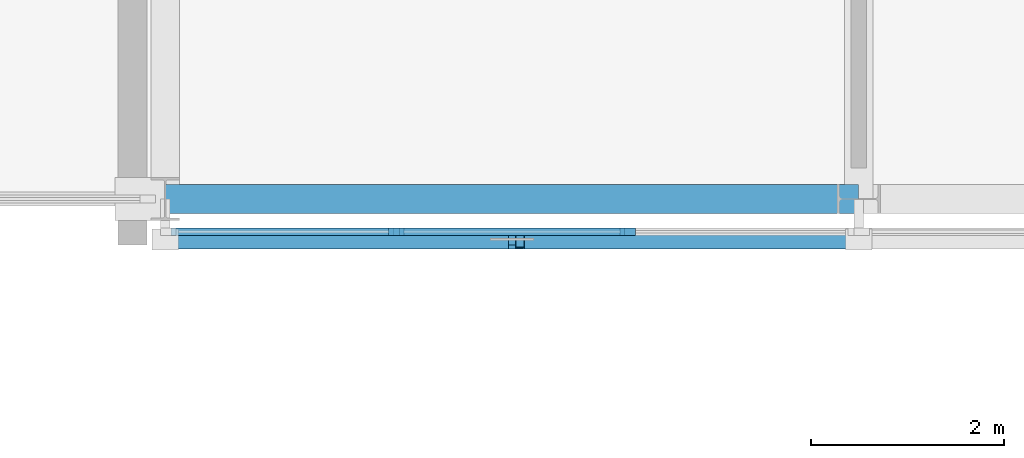
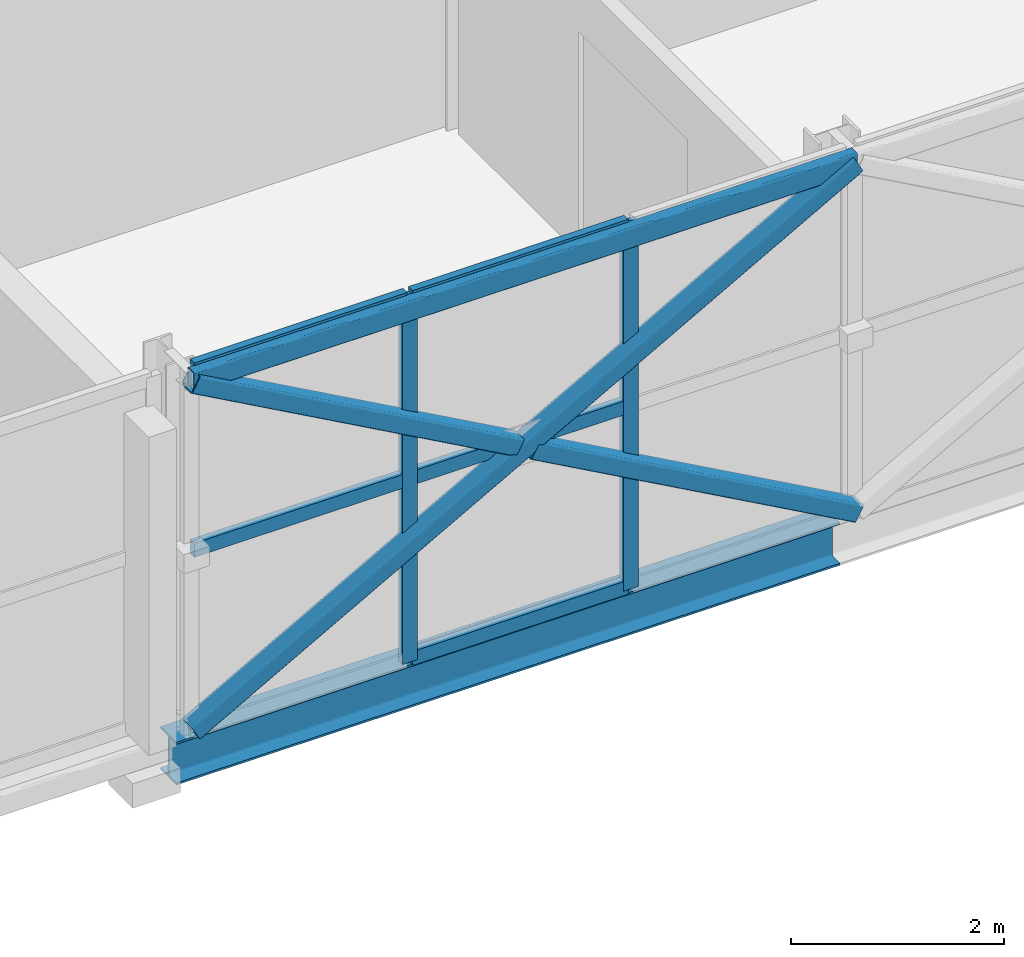
# One storey, part 53 of 146: 11 members, 1 beam, 1 element without a shape of its own.
"""IFC4 building model written with IfcOpenShell, lengths in metres."""

from ifc_helpers import new_model, si_unit, direction, frame, origin, origin_2d, place, context, subcontext, project, spatial, rectangle, hollow_rectangle, i_section, extrude, material, material_profile, profile_set, type_object, element, aggregate, save


model = new_model("IFC4")

# Units and contexts
model_context = context("Model", 3, precision=1e-05, world=origin(), true_north=direction((0.0, 1.0)))
body_context = subcontext(model_context, "Body", "Model", "MODEL_VIEW")
ifc_project = project(units=[si_unit("LENGTHUNIT", "METRE"), si_unit("AREAUNIT", "SQUARE_METRE"), si_unit("VOLUMEUNIT", "CUBIC_METRE"), si_unit("PLANEANGLEUNIT", "RADIAN"), si_unit("MASSUNIT", "GRAM", prefix="KILO")], contexts=[model_context])

# Site, building, storey
site_placement = place(None, origin())
site = spatial("IfcSite", under=ifc_project, at=site_placement, CompositionType="ELEMENT")
building_placement = place(site_placement, origin())
building = spatial("IfcBuilding", under=site, at=building_placement, Name="Zlatovets Crest Museum", CompositionType="ELEMENT")
storey_placement = place(building_placement, frame((0.0, 0.0, 4.5)))
storey = spatial("IfcBuildingStorey", under=building, at=storey_placement, Name="L01", CompositionType="ELEMENT", Elevation=4.5)

# Beam
ifc_material_1 = material(Name="Structural steel S355J2", Category="steel")
ifc_material_profile_1 = material_profile(ifc_material_1, i_section(OverallWidth=0.300048828125, OverallDepth=0.489990234375, WebThickness=0.011962890625, FlangeThickness=0.02294921875, FilletRadius=0.027099609375, at=origin_2d()), Name="HEA 500")
ifc_profile_set_1 = profile_set([ifc_material_profile_1], Name="Structural steel S355J2")
beam_type = type_object("IfcBeamType", Name="Beam_B-01", PredefinedType="BEAM", material=ifc_profile_set_1)
beam_placement = place(storey_placement, frame((57.60009765625, 86.39990234375, -0.465087890625), z_axis=(1.0, 0.0, 0.0), x_axis=(0.0, 1.0, 0.0)))
element("IfcBeam", 1, at=beam_placement, inside=storey, type_object=beam_type, Name="V1 L01 Primary Girder B-01", PredefinedType="BEAM", context=body_context, shape_type="SweptSolid", body=[
    extrude(i_section(OverallWidth=0.300048828125, OverallDepth=0.489990234375, WebThickness=0.011962890625, FlangeThickness=0.02294921875, FilletRadius=0.027099609375, at=origin_2d()), origin(), (0.0, 0.0, 1.0), 7.199951171875),
])

# Curtain wall, members
ifc_material_2 = material(Name="Bronze-anodised aluminium and low-E triple glass", Category="aluminium")
curtain_wall_type = type_object("IfcCurtainWallType", Name="CW_CW-V1-L01-M0", PredefinedType="NOTDEFINED", material=ifc_material_2)
curtain_wall_placement = place(storey_placement, origin())
curtain_wall = element("IfcCurtainWall", 2, at=curtain_wall_placement, inside=storey, type_object=curtain_wall_type, Name="V1 L01 Secession Foyer Clear Curtain Wall", PredefinedType="NOTDEFINED")
ifc_material_3 = material(Name="Bronze-anodised aluminium EN AW-6060", Category="aluminium")
ifc_material_profile_2 = material_profile(ifc_material_3, rectangle(XDim=0.080078125, YDim=0.159912109375, at=origin_2d()), Name="ALU 80x160")
ifc_profile_set_2 = profile_set([ifc_material_profile_2], Name="Bronze-anodised aluminium EN AW-6060")
member_type_1 = type_object("IfcMemberType", Name="CWMull_M1", PredefinedType="MULLION", material=ifc_profile_set_2)
member_1_placement = place(storey_placement, frame((60.0, 86.06005859375, 0.0), z_axis=(0.0, 0.0, 1.0), x_axis=(0.0, 1.0, 0.0)))
member_1 = element("IfcMember", 3, at=member_1_placement, type_object=member_type_1, Name="CW-V1-L01-M0 mullion 2", PredefinedType="MULLION", context=body_context, shape_type="SweptSolid", body=[
    extrude(rectangle(XDim=0.080078125, YDim=0.159912109375, at=origin_2d()), origin(), (0.0, 0.0, 1.0), 4.199951171875),
])
member_2_placement = place(storey_placement, frame((62.39990234375, 86.06005859375, 0.0), z_axis=(0.0, 0.0, 1.0), x_axis=(0.0, 1.0, 0.0)))
member_2 = element("IfcMember", 4, at=member_2_placement, type_object=member_type_1, Name="CW-V1-L01-M0 mullion 3", PredefinedType="MULLION", context=body_context, shape_type="SweptSolid", body=[
    extrude(rectangle(XDim=0.080078125, YDim=0.159912109375, at=origin_2d()), origin(), (0.0, 0.0, 1.0), 4.199951171875),
])
ifc_material_profile_3 = material_profile(ifc_material_3, rectangle(XDim=0.080078125, YDim=0.159912109375, at=origin_2d()), Name="ALU 80x160")
ifc_profile_set_3 = profile_set([ifc_material_profile_3], Name="Bronze-anodised aluminium EN AW-6060")
member_type_2 = type_object("IfcMemberType", Name="CWTrans_T1", PredefinedType="USERDEFINED", material=ifc_profile_set_3)
member_3_placement = place(storey_placement, frame((57.659912109375, 86.06005859375, 2.10009765625), z_axis=(1.0, 0.0, 0.0), x_axis=(0.0, 1.0, 0.0)))
member_3 = element("IfcMember", 5, at=member_3_placement, type_object=member_type_2, Name="CW-V1-L01-M0 transom 1.2", ObjectType="TRANSOM", PredefinedType="USERDEFINED", context=body_context, shape_type="SweptSolid", body=[
    extrude(rectangle(XDim=0.080078125, YDim=0.159912109375, at=origin_2d()), origin(), (0.0, 0.0, 1.0), 2.31005859375),
])
member_4_placement = place(storey_placement, frame((57.659912109375, 86.06005859375, 4.169921875), z_axis=(1.0, 0.0, 0.0), x_axis=(0.0, 1.0, 0.0)))
member_4 = element("IfcMember", 6, at=member_4_placement, type_object=member_type_2, Name="CW-V1-L01-M0 transom 1.3", ObjectType="TRANSOM", PredefinedType="USERDEFINED", context=body_context, shape_type="SweptSolid", body=[
    extrude(rectangle(XDim=0.080078125, YDim=0.159912109375, at=origin_2d()), origin(), (0.0, 0.0, 1.0), 2.31005859375),
])
member_5_placement = place(storey_placement, frame((60.030029296875, 86.06005859375, 0.030029296875), z_axis=(1.0, 0.0, 0.0), x_axis=(0.0, 1.0, 0.0)))
member_5 = element("IfcMember", 7, at=member_5_placement, type_object=member_type_2, Name="CW-V1-L01-M0 transom 2.1", ObjectType="TRANSOM", PredefinedType="USERDEFINED", context=body_context, shape_type="SweptSolid", body=[
    extrude(rectangle(XDim=0.080078125, YDim=0.159912109375, at=origin_2d()), origin(), (0.0, 0.0, 1.0), 2.340087890625),
])
member_6_placement = place(storey_placement, frame((60.030029296875, 86.06005859375, 2.10009765625), z_axis=(1.0, 0.0, 0.0), x_axis=(0.0, 1.0, 0.0)))
member_6 = element("IfcMember", 8, at=member_6_placement, type_object=member_type_2, Name="CW-V1-L01-M0 transom 2.2", ObjectType="TRANSOM", PredefinedType="USERDEFINED", context=body_context, shape_type="SweptSolid", body=[
    extrude(rectangle(XDim=0.080078125, YDim=0.159912109375, at=origin_2d()), origin(), (0.0, 0.0, 1.0), 2.340087890625),
])
member_7_placement = place(storey_placement, frame((60.030029296875, 86.06005859375, 4.169921875), z_axis=(1.0, 0.0, 0.0), x_axis=(0.0, 1.0, 0.0)))
member_7 = element("IfcMember", 9, at=member_7_placement, type_object=member_type_2, Name="CW-V1-L01-M0 transom 2.3", ObjectType="TRANSOM", PredefinedType="USERDEFINED", context=body_context, shape_type="SweptSolid", body=[
    extrude(rectangle(XDim=0.080078125, YDim=0.159912109375, at=origin_2d()), origin(), (0.0, 0.0, 1.0), 2.340087890625),
])
aggregate(curtain_wall, [member_1, member_2, member_3, member_4, member_5, member_6, member_7])

# Members
ifc_material_4 = material(Name="Weathering bronze-steel S355J2W", Category="steel")
ifc_material_profile_4 = material_profile(ifc_material_4, hollow_rectangle(XDim=0.199951171875, YDim=0.199951171875, WallThickness=0.012451171875, InnerFilletRadius=0.012451171875, OuterFilletRadius=0.02490234375, at=origin_2d()), Name="SHS 200x200x12.5")
ifc_profile_set_4 = profile_set([ifc_material_profile_4], Name="Weathering bronze-steel S355J2W")
member_type_3 = type_object("IfcMemberType", Name="Lattice_XL-02", PredefinedType="BRACE", material=ifc_profile_set_4)
member_8_placement = place(storey_placement, frame((57.60009765625, 85.97998046875, 0.10009765625), z_axis=(0.874155877937, 0.0, 0.485645447903), x_axis=(0.0, 1.0, 0.0)))
element("IfcMember", 10, at=member_8_placement, inside=storey, type_object=member_type_3, Name="Continuous Bronze Lattice Diagonal", PredefinedType="BRACE", context=body_context, shape_type="SweptSolid", body=[
    extrude(hollow_rectangle(XDim=0.199951171875, YDim=0.199951171875, WallThickness=0.012451171875, InnerFilletRadius=0.012451171875, OuterFilletRadius=0.02490234375, at=origin_2d()), origin(), (0.0, 0.0, 1.0), 8.236572265625),
])
member_9_placement = place(storey_placement, frame((57.60009765625, 85.97998046875, 4.10009765625), z_axis=(0.874125788284, 0.0, -0.485699604958), x_axis=(0.0, 1.0, 0.0)))
element("IfcMember", 11, at=member_9_placement, inside=storey, type_object=member_type_3, Name="Split Crossing Bronze Lattice Diagonal Upper", PredefinedType="BRACE", context=body_context, shape_type="SweptSolid", body=[
    extrude(hollow_rectangle(XDim=0.199951171875, YDim=0.199951171875, WallThickness=0.012451171875, InnerFilletRadius=0.012451171875, OuterFilletRadius=0.02490234375, at=origin_2d()), origin(), (0.0, 0.0, 1.0), 4.023193359375),
])
member_10_placement = place(storey_placement, frame((61.282958984375, 85.97998046875, 2.053955078125), z_axis=(0.874165862873, 0.0, -0.485627474703), x_axis=(0.0, 1.0, 0.0)))
element("IfcMember", 12, at=member_10_placement, inside=storey, type_object=member_type_3, Name="Split Crossing Bronze Lattice Diagonal Lower", PredefinedType="BRACE", context=body_context, shape_type="SweptSolid", body=[
    extrude(hollow_rectangle(XDim=0.199951171875, YDim=0.199951171875, WallThickness=0.012451171875, InnerFilletRadius=0.012451171875, OuterFilletRadius=0.02490234375, at=origin_2d()), origin(), (0.0, 0.0, 1.0), 4.0234375),
])
ifc_material_profile_5 = material_profile(ifc_material_4, hollow_rectangle(XDim=0.1201171875, YDim=0.239990234375, WallThickness=0.010009765625, InnerFilletRadius=0.010009765625, OuterFilletRadius=0.02001953125, at=origin_2d()), Name="RHS 120x240x10.0")
ifc_profile_set_5 = profile_set([ifc_material_profile_5], Name="Weathering bronze-steel S355J2W")
member_type_4 = type_object("IfcMemberType", Name="Lattice_XL-04", PredefinedType="CHORD", material=ifc_profile_set_5)
member_11_placement = place(storey_placement, frame((57.60009765625, 85.97998046875, 4.10009765625), z_axis=(1.0, 0.0, 0.0), x_axis=(0.0, 1.0, 0.0)))
element("IfcMember", 13, at=member_11_placement, inside=storey, type_object=member_type_4, Name="Art Nouveau Woven Cage Collector Ring Chord", PredefinedType="CHORD", context=body_context, shape_type="SweptSolid", body=[
    extrude(hollow_rectangle(XDim=0.1201171875, YDim=0.239990234375, WallThickness=0.010009765625, InnerFilletRadius=0.010009765625, OuterFilletRadius=0.02001953125, at=origin_2d()), origin(), (0.0, 0.0, 1.0), 7.199951171875),
])

save(model, "model.ifc")
